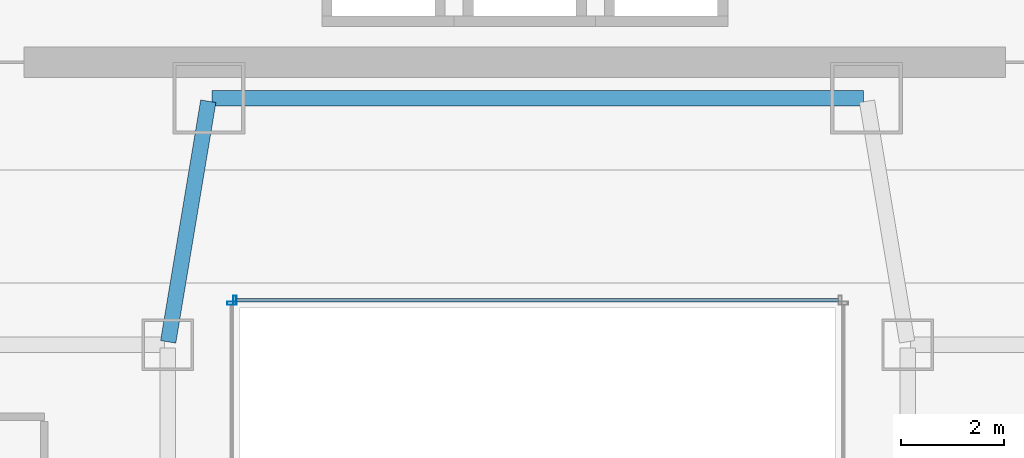
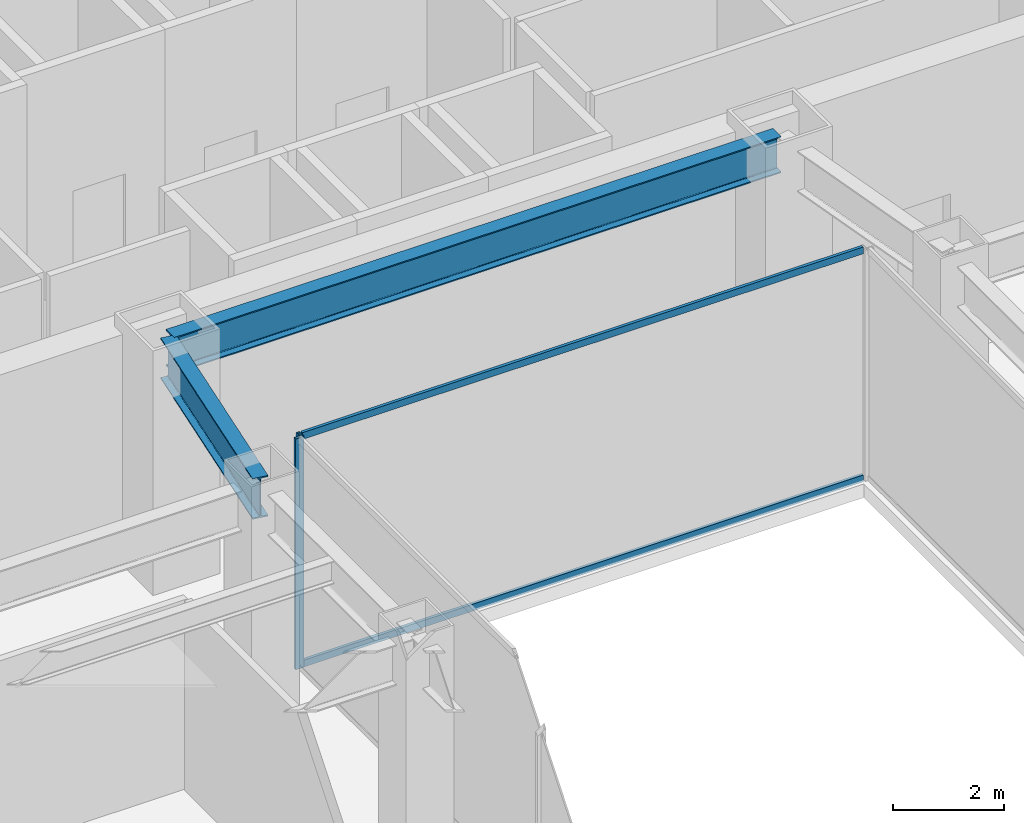
# One storey, part 24 of 52: 4 members, 2 beams, 2 elements without a shape of their own.
"""IFC4 building model written with IfcOpenShell, lengths in metres."""

from ifc_helpers import new_model, si_unit, direction, frame, origin, origin_2d, place, context, subcontext, project, spatial, hollow_rectangle, i_section, extrude, material, material_profile, profile_set, type_object, element, aggregate, save


model = new_model("IFC4")

# Units and contexts
model_context = context("Model", 3, precision=1e-05, world=origin(), true_north=direction((0.0, 1.0)))
body_context = subcontext(model_context, "Body", "Model", "MODEL_VIEW")
ifc_project = project(units=[si_unit("LENGTHUNIT", "METRE"), si_unit("AREAUNIT", "SQUARE_METRE"), si_unit("VOLUMEUNIT", "CUBIC_METRE"), si_unit("PLANEANGLEUNIT", "RADIAN"), si_unit("MASSUNIT", "GRAM", prefix="KILO")], contexts=[model_context])

# Site, building, storey
site_placement = place(None, origin())
site = spatial("IfcSite", under=ifc_project, at=site_placement, CompositionType="ELEMENT")
building_placement = place(site_placement, origin())
building = spatial("IfcBuilding", under=site, at=building_placement, Name="Saevonmaru Cultural Tower", CompositionType="ELEMENT")
storey_placement = place(building_placement, frame((0.0, 0.0, 11.39990234375)))
storey = spatial("IfcBuildingStorey", under=building, at=storey_placement, Name="L02", CompositionType="ELEMENT", Elevation=11.39990234375)

# Beams
ifc_material_1 = material(Name="Steel SM420", Category="steel")
ifc_material_profile_1 = material_profile(ifc_material_1, i_section(OverallWidth=0.300048828125, OverallDepth=0.800048828125, WebThickness=0.013916015625, FlangeThickness=0.02587890625, FilletRadius=0.028076171875, at=origin_2d()), Name="H-800x300x14x26")
ifc_profile_set_1 = profile_set([ifc_material_profile_1], Name="Steel SM420")
beam_type_1 = type_object("IfcBeamType", Name="BM-G-H800", PredefinedType="BEAM", material=ifc_profile_set_1)
beam_1_placement = place(storey_placement, frame((23.659912109375, 42.39990234375, 4.7001953125), z_axis=(1.0, 0.0, 0.0), x_axis=(0.0, 1.0, 0.0)))
element("IfcBeam", 1, at=beam_1_placement, inside=storey, type_object=beam_type_1, Name="L02 Core South Girder 3", PredefinedType="BEAM", context=body_context, shape_type="SweptSolid", body=[
    extrude(i_section(OverallWidth=0.300048828125, OverallDepth=0.800048828125, WebThickness=0.013916015625, FlangeThickness=0.02587890625, FilletRadius=0.028076171875, at=origin_2d()), origin(), (0.0, 0.0, 1.0), 12.68017578125),
])
ifc_material_profile_2 = material_profile(ifc_material_1, i_section(OverallWidth=0.300048828125, OverallDepth=0.89990234375, WebThickness=0.01611328125, FlangeThickness=0.028076171875, FilletRadius=0.028076171875, at=origin_2d()), Name="H-900x300x16x28")
ifc_profile_set_2 = profile_set([ifc_material_profile_2], Name="Steel SM420")
beam_type_2 = type_object("IfcBeamType", Name="BM-G-H900", PredefinedType="BEAM", material=ifc_profile_set_2)
beam_2_placement = place(storey_placement, frame((22.809814453125, 37.6591796875, 4.650146484375), z_axis=(0.164398987305, 0.986393923832, 0.0), x_axis=(-0.986393923832, 0.164398987305, 0.0)))
element("IfcBeam", 2, at=beam_2_placement, inside=storey, type_object=beam_type_2, Name="L02 Podium Girder NS2-6", PredefinedType="BEAM", context=body_context, shape_type="SweptSolid", body=[
    extrude(i_section(OverallWidth=0.300048828125, OverallDepth=0.89990234375, WebThickness=0.01611328125, FlangeThickness=0.028076171875, FilletRadius=0.028076171875, at=origin_2d()), origin(), (0.0, 0.0, 1.0), 4.746337890625),
])

# Curtain wall, member
ifc_material_2 = material(Name="Satin Bronze Anodised Aluminium", Category="aluminium")
curtain_wall_type = type_object("IfcCurtainWallType", Name="CW-ATR-GLZ", PredefinedType="NOTDEFINED", material=ifc_material_2)
curtain_wall_1_placement = place(storey_placement, origin())
curtain_wall_1 = element("IfcCurtainWall", 3, at=curtain_wall_1_placement, inside=storey, type_object=curtain_wall_type, Name="L02 Vertical Atrium Glazed Smoke Screen 3", PredefinedType="NOTDEFINED")
ifc_material_profile_3 = material_profile(ifc_material_2, hollow_rectangle(XDim=0.06494140625, YDim=0.179931640625, WallThickness=0.00390625, at=origin_2d()), Name="ALU-MULL-180x65x4")
ifc_profile_set_3 = profile_set([ifc_material_profile_3], Name="Satin Bronze Anodised Aluminium")
member_type_1 = type_object("IfcMemberType", Name="ML-CW-INT-180x65", PredefinedType="MULLION", material=ifc_profile_set_3)
member_1_placement = place(storey_placement, frame((24.110107421875, 38.469970703125, 0.0), z_axis=(0.0, 0.0, 1.0), x_axis=(-1.0, 0.0, 0.0)))
member_1 = element("IfcMember", 4, at=member_1_placement, type_object=member_type_1, Name="CW-ATR-L02-3 mullion 2", PredefinedType="MULLION", context=body_context, shape_type="SweptSolid", body=[
    extrude(hollow_rectangle(XDim=0.06494140625, YDim=0.179931640625, WallThickness=0.00390625, at=origin_2d()), origin(), (0.0, 0.0, 1.0), 5.10009765625),
])

curtain_wall_2_placement = place(storey_placement, origin())
curtain_wall_2 = element("IfcCurtainWall", 5, at=curtain_wall_2_placement, inside=storey, type_object=curtain_wall_type, Name="L02 Vertical Atrium Glazed Smoke Screen 4", PredefinedType="NOTDEFINED")
member_2_placement = place(storey_placement, frame((24.050048828125, 38.409912109375, 0.0), z_axis=(0.0, 0.0, 1.0), x_axis=(0.0, -1.0, 0.0)))
member_2 = element("IfcMember", 6, at=member_2_placement, type_object=member_type_1, Name="CW-ATR-L02-4 mullion 1", PredefinedType="MULLION", context=body_context, shape_type="SweptSolid", body=[
    extrude(hollow_rectangle(XDim=0.06494140625, YDim=0.179931640625, WallThickness=0.00390625, at=origin_2d()), origin(), (0.0, 0.0, 1.0), 5.10009765625),
])
aggregate(curtain_wall_2, [member_2])

# Member
ifc_material_profile_4 = material_profile(ifc_material_2, hollow_rectangle(XDim=0.06494140625, YDim=0.14990234375, WallThickness=0.00390625, at=origin_2d()), Name="ALU-TRAN-150x65x4")
ifc_profile_set_4 = profile_set([ifc_material_profile_4], Name="Satin Bronze Anodised Aluminium")
member_type_2 = type_object("IfcMemberType", Name="TR-CW-INT-150x65", PredefinedType="USERDEFINED", material=ifc_profile_set_4)
member_3_placement = place(storey_placement, frame((35.857421875, 38.469970703125, 0.03271484375), z_axis=(-1.0, 0.0, 0.0), x_axis=(0.0, -1.0, 0.0)))
member_3 = element("IfcMember", 7, at=member_3_placement, type_object=member_type_2, Name="CW-ATR-L02-3 transom 1.1", ObjectType="TRANSOM", PredefinedType="USERDEFINED", context=body_context, shape_type="SweptSolid", body=[
    extrude(hollow_rectangle(XDim=0.06494140625, YDim=0.14990234375, WallThickness=0.00390625, at=origin_2d()), origin(), (0.0, 0.0, 1.0), 11.71484375),
])

member_4_placement = place(storey_placement, frame((35.857421875, 38.469970703125, 5.067626953125), z_axis=(-1.0, 0.0, 0.0), x_axis=(0.0, -1.0, 0.0)))
member_4 = element("IfcMember", 8, at=member_4_placement, type_object=member_type_2, Name="CW-ATR-L02-3 transom 1.2", ObjectType="TRANSOM", PredefinedType="USERDEFINED", context=body_context, shape_type="SweptSolid", body=[
    extrude(hollow_rectangle(XDim=0.06494140625, YDim=0.14990234375, WallThickness=0.00390625, at=origin_2d()), origin(), (0.0, 0.0, 1.0), 11.71484375),
])

aggregate(curtain_wall_1, [member_1, member_3, member_4])

save(model, "model.ifc")
